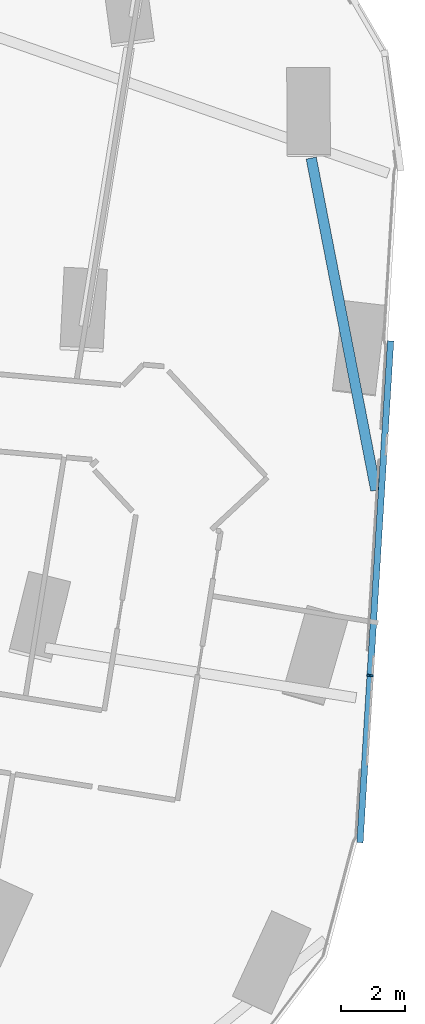
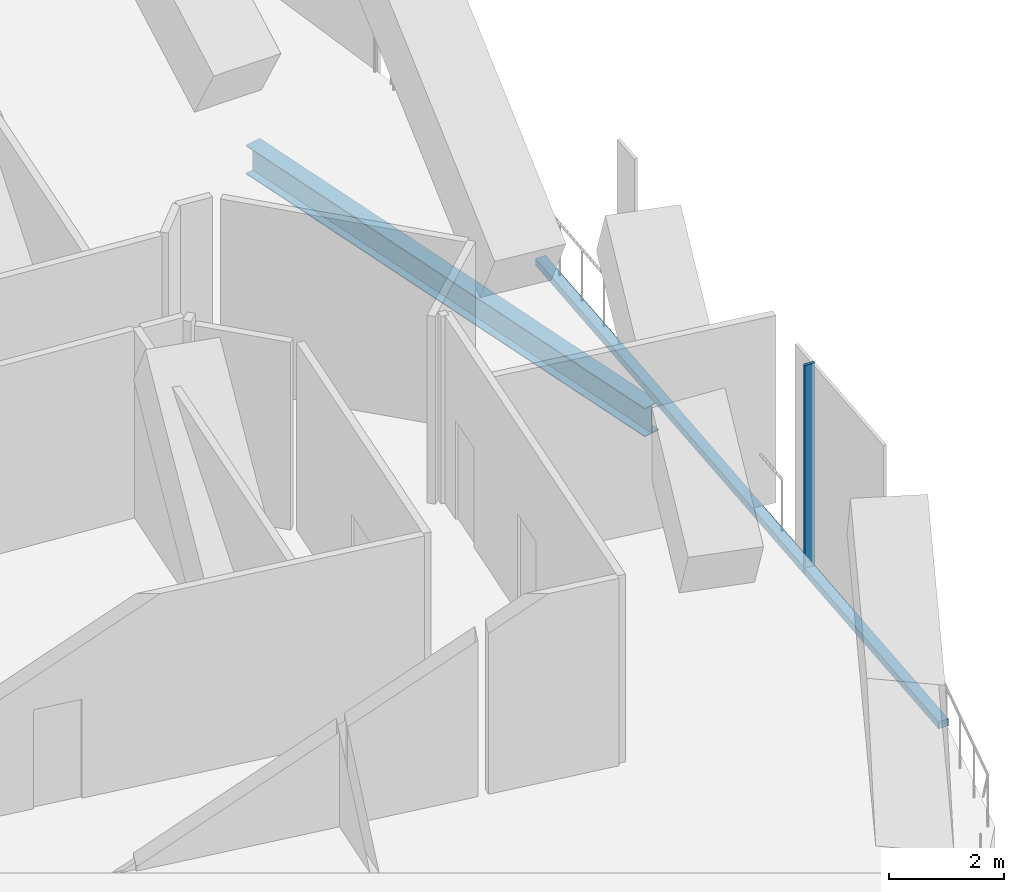
# One storey, part 11 of 39: 2 members, 1 beam, 1 element without a shape of its own.
"""IFC4 building model written with IfcOpenShell, lengths in metres."""

from ifc_helpers import new_model, si_unit, direction, frame, origin, origin_2d, place, context, subcontext, project, spatial, rectangle, i_section, extrude, material, material_profile, profile_set, type_object, element, aggregate, save


model = new_model("IFC4")

# Units and contexts
model_context = context("Model", 3, precision=1e-05, world=origin(), true_north=direction((0.0, 1.0)))
body_context = subcontext(model_context, "Body", "Model", "MODEL_VIEW")
ifc_project = project(units=[si_unit("LENGTHUNIT", "METRE"), si_unit("AREAUNIT", "SQUARE_METRE"), si_unit("VOLUMEUNIT", "CUBIC_METRE"), si_unit("PLANEANGLEUNIT", "RADIAN"), si_unit("MASSUNIT", "GRAM", prefix="KILO")], contexts=[model_context])

# Site, building, storey
site_placement = place(None, origin())
site = spatial("IfcSite", under=ifc_project, at=site_placement, CompositionType="ELEMENT")
building_placement = place(site_placement, origin())
building = spatial("IfcBuilding", under=site, at=building_placement, Name="Orlundy Tower", CompositionType="ELEMENT")
storey_placement = place(building_placement, frame((0.0, 0.0, 141.199951171875)))
storey = spatial("IfcBuildingStorey", under=building, at=storey_placement, Name="L36", CompositionType="ELEMENT", Elevation=141.199951171875)

# Beam
ifc_material_1 = material(Name="Steel ASTM A992 Gr 50", Category="steel")
ifc_material_profile_1 = material_profile(ifc_material_1, i_section(OverallWidth=0.32373046875, OverallDepth=0.611083984375, WebThickness=0.0126953125, FlangeThickness=0.01904296875, at=origin_2d()), Name="W24X104")
ifc_profile_set_1 = profile_set([ifc_material_profile_1], Name="Steel ASTM A992 Gr 50")
beam_type = type_object("IfcBeamType", Name="CANTILEVER GIRDER beam W24X104", PredefinedType="BEAM", material=ifc_profile_set_1)
beam_placement = place(storey_placement, frame((60.344482421875, -3.156494140625, -0.755615234375), z_axis=(-0.190933957265, 0.981602885063, 0.0), x_axis=(-0.981602885063, -0.190933957265, 0.0)))
element("IfcBeam", 1, at=beam_placement, inside=storey, type_object=beam_type, Name="Cantilever girder C-A4-5 L36", PredefinedType="BEAM", context=body_context, shape_type="SweptSolid", body=[
    extrude(i_section(OverallWidth=0.32373046875, OverallDepth=0.611083984375, WebThickness=0.0126953125, FlangeThickness=0.01904296875, at=origin_2d()), origin(), (0.0, 0.0, 1.0), 10.5693359375),
])

# Curtain wall, members
ifc_material_2 = material(Name="Aluminium bronze anodised", Category="aluminium")
curtain_wall_type = type_object("IfcCurtainWallType", Name="CW4 wall", PredefinedType="NOTDEFINED", material=ifc_material_2)
curtain_wall_placement = place(storey_placement, origin())
curtain_wall = element("IfcCurtainWall", 2, at=curtain_wall_placement, inside=storey, type_object=curtain_wall_type, Name="CW4 run 034", PredefinedType="NOTDEFINED")
ifc_material_3 = material(Name="Aluminium bronze anodised", Category="aluminium")
ifc_material_profile_2 = material_profile(ifc_material_3, rectangle(XDim=0.199951171875, YDim=0.06005859375, at=origin_2d()), Name="CW4 mullion 60x200")
ifc_profile_set_2 = profile_set([ifc_material_profile_2], Name="Aluminium bronze anodised")
member_type_1 = type_object("IfcMemberType", Name="CW4 mullion 60x200", PredefinedType="MULLION", material=ifc_profile_set_2)
member_1_placement = place(storey_placement, frame((60.166259765625, -8.93994140625, -0.449951171875), z_axis=(0.0, 0.0, 1.0), x_axis=(0.998134884544, -0.061047131434, 0.0)))
member_1 = element("IfcMember", 3, at=member_1_placement, type_object=member_type_1, Name="CW4 mullion 63", PredefinedType="MULLION", context=body_context, shape_type="SweptSolid", body=[
    extrude(rectangle(XDim=0.199951171875, YDim=0.06005859375, at=origin_2d()), origin(), (0.0, 0.0, 1.0), 4.449951171875),
])
ifc_material_4 = material(Name="Aluminium bronze anodised", Category="aluminium")
ifc_material_profile_3 = material_profile(ifc_material_4, rectangle(XDim=0.199951171875, YDim=0.14990234375, at=origin_2d()), Name="CW4 transom 200x150")
ifc_profile_set_3 = profile_set([ifc_material_profile_3], Name="Aluminium bronze anodised")
member_type_2 = type_object("IfcMemberType", Name="CW4 transom 200x150", PredefinedType="USERDEFINED", material=ifc_profile_set_3)
member_2_placement = place(storey_placement, frame((60.805419921875, 1.5107421875, -0.375), z_axis=(-0.061035446843, -0.998135599119, 0.0), x_axis=(0.998135599119, -0.061035446843, 0.0)))
member_2 = element("IfcMember", 4, at=member_2_placement, type_object=member_type_2, Name="CW4 transom", ObjectType="TRANSOM", PredefinedType="USERDEFINED", context=body_context, shape_type="SweptSolid", body=[
    extrude(rectangle(XDim=0.199951171875, YDim=0.14990234375, at=origin_2d()), origin(), (0.0, 0.0, 1.0), 15.699951171875),
])
aggregate(curtain_wall, [member_1, member_2])

save(model, "model.ifc")
